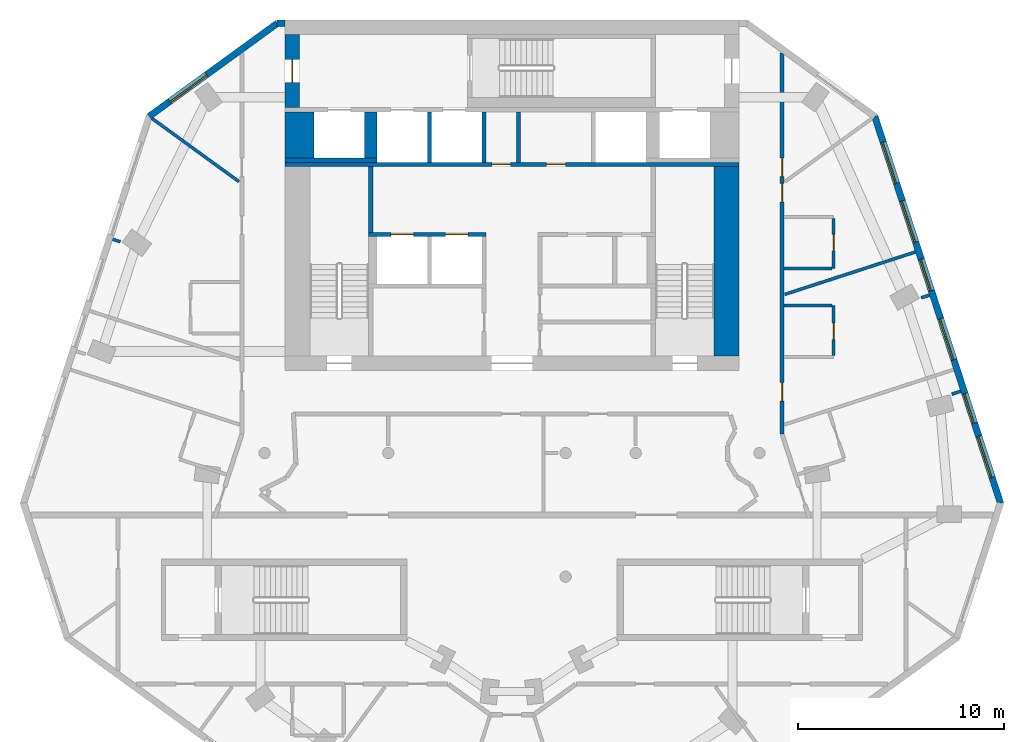
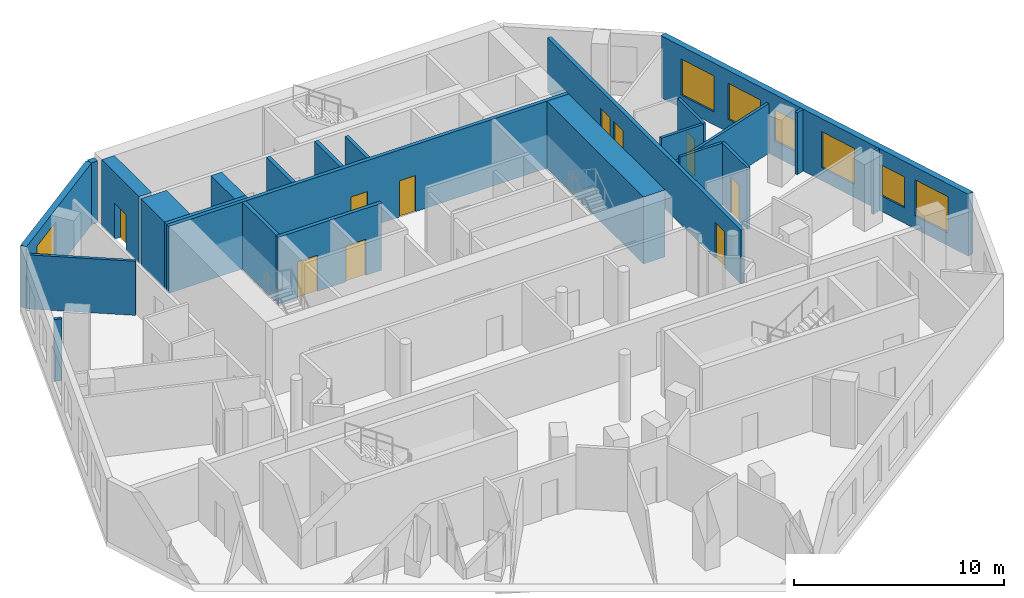
# One storey, part 5 of 9: 24 walls, 10 doors, 7 windows, 17 openings.
"""IFC4 building model written with IfcOpenShell, lengths in metres."""

from ifc_helpers import new_model, si_unit, direction, frame, frame_2d, origin, place, context, subcontext, project, spatial, rectangle, extrude, material, layer, layer_set, type_object, element, fill, save


model = new_model("IFC4")

# Units and contexts
model_context = context("Model", 3, precision=1e-05, world=origin(), true_north=direction((0.0, 1.0)))
body_context = subcontext(model_context, "Body", "Model", "MODEL_VIEW")
ifc_project = project(units=[si_unit("LENGTHUNIT", "METRE"), si_unit("AREAUNIT", "SQUARE_METRE"), si_unit("VOLUMEUNIT", "CUBIC_METRE"), si_unit("PLANEANGLEUNIT", "RADIAN"), si_unit("MASSUNIT", "GRAM", prefix="KILO")], contexts=[model_context])

# Site, building, storey
site_placement = place(None, origin())
site = spatial("IfcSite", under=ifc_project, at=site_placement, CompositionType="ELEMENT")
building_placement = place(site_placement, origin())
building = spatial("IfcBuilding", under=site, at=building_placement, Name="White Candle Pilgrim Tower", CompositionType="ELEMENT")
storey_placement = place(building_placement, frame((0.0, 0.0, 252.199951171875)))
storey = spatial("IfcBuildingStorey", under=building, at=storey_placement, Name="L59", CompositionType="ELEMENT", Elevation=252.199951171875)

# Walls
ifc_material_1 = material(Name="Concrete C50/60", Category="concrete")
ifc_layer_1 = layer(ifc_material_1, 1.39990234375)
ifc_layer_set_1 = layer_set([ifc_layer_1], Name="Core wall 1400 mm Concrete C50/60")
wall_type_1 = type_object("IfcWallType", Name="Core wall 1400 mm Concrete C50/60", PredefinedType="SHEAR", material=ifc_layer_set_1)
wall_1_placement = place(storey_placement, frame((59.699951171875, 81.300048828125, 0.0), z_axis=(0.0, 0.0, 1.0), x_axis=(0.0, 1.0, 0.0)))
element("IfcWall", 1, at=wall_1_placement, inside=storey, type_object=wall_type_1, Name="WL-L59-C40", PredefinedType="SHEAR", context=body_context, shape_type="SweptSolid", body=[
    extrude(rectangle(XDim=2.25, YDim=1.39990234375, at=frame_2d((1.125, 0.0))), origin(), (0.0, 0.0, 1.0), 3.900146484375),
])
ifc_layer_2 = layer(ifc_material_1, 0.199951171875)
ifc_layer_set_2 = layer_set([ifc_layer_2], Name="Core wall 200 mm Concrete C50/60")
wall_type_2 = type_object("IfcWallType", Name="Core wall 200 mm Concrete C50/60", PredefinedType="SHEAR", material=ifc_layer_set_2)
wall_2_placement = place(storey_placement, frame((59.0, 81.199951171875, 0.0), z_axis=(0.0, 0.0, 1.0), x_axis=(1.0, 0.0, 0.0)))
element("IfcWall", 2, at=wall_2_placement, inside=storey, type_object=wall_type_2, Name="WL-L59-C34", PredefinedType="SHEAR", context=body_context, shape_type="SweptSolid", body=[
    extrude(rectangle(XDim=4.449951171875, YDim=0.199951171875, at=frame_2d((2.22509765625, 0.0))), origin(), (0.0, 0.0, 1.0), 3.900146484375),
])

# Wall, opening, door
ifc_layer_3 = layer(ifc_material_1, 0.699951171875)
ifc_layer_set_3 = layer_set([ifc_layer_3], Name="Core wall 700 mm Concrete C50/60")
wall_type_3 = type_object("IfcWallType", Name="Core wall 700 mm Concrete C50/60", PredefinedType="SHEAR", material=ifc_layer_set_3)
wall_3_placement = place(storey_placement, frame((59.35009765625, 83.75, 0.0), z_axis=(0.0, 0.0, 1.0), x_axis=(0.0, 1.0, 0.0)))
wall_3 = element("IfcWall", 3, at=wall_3_placement, inside=storey, type_object=wall_type_3, Name="WL-L59-C45", PredefinedType="SHEAR", context=body_context, shape_type="SweptSolid", body=[
    extrude(rectangle(XDim=3.550048828125, YDim=0.699951171875, at=frame_2d((1.77490234375, 0.0))), origin(), (0.0, 0.0, 1.0), 3.900146484375),
])
opening_1_placement = place(wall_3_placement, frame((1.22509765625, 0.0, 0.0)))
opening_1 = element("IfcOpeningElement", 4, at=opening_1_placement, cuts=wall_3, Name="Opening T18-008", PredefinedType="OPENING", context=body_context, shape_type="SweptSolid", body=[
    extrude(rectangle(XDim=1.10009765625, YDim=2.10009765625, at=frame_2d((0.550048828125, 1.050048828125))), frame((0.0, 0.35986328125, 0.0), z_axis=(0.0, -1.0, 0.0), x_axis=(1.0, 0.0, 0.0)), (0.0, 0.0, 1.0), 0.719970703125),
])
ifc_material_2 = material(Name="Steel door leaf", Category="steel")
door_type_1 = type_object("IfcDoorType", Name="Fire door 1100 x 2100 EI 60", OperationType="NOTDEFINED", PredefinedType="DOOR", material=ifc_material_2)
door_1_placement = place(opening_1_placement, origin())
door_1 = element("IfcDoor", 5, at=door_1_placement, inside=storey, type_object=door_type_1, Name="Door T18-008", OperationType="SINGLE_SWING_RIGHT", OverallHeight=2.10009765625, OverallWidth=1.10009765625, PredefinedType="DOOR", context=body_context, shape_type="SweptSolid", body=[
    extrude(rectangle(XDim=1.10009765625, YDim=2.10009765625, at=frame_2d((0.550048828125, 1.050048828125))), frame((0.0, 0.02490234375, 0.0), z_axis=(0.0, -1.0, 0.0), x_axis=(1.0, 0.0, 0.0)), (0.0, 0.0, 1.0), 0.050048828125),
])
fill(opening_1, door_1)

# Wall, openings, doors
ifc_material_3 = material(Name="Gypsum board on steel studs", Category="steel")
ifc_layer_4 = layer(ifc_material_3, 0.199951171875)
ifc_layer_set_4 = layer_set([ifc_layer_4], Name="Corridor wall 200 mm EI 45")
wall_type_4 = type_object("IfcWallType", Name="Corridor wall 200 mm EI 45", PredefinedType="PARTITIONING", material=ifc_layer_set_4)
wall_4_placement = place(storey_placement, frame((83.10009765625, 86.396240234375, 0.0), z_axis=(0.0, 0.0, 1.0), x_axis=(0.0, -1.0, 0.0)))
wall_4 = element("IfcWall", 6, at=wall_4_placement, inside=storey, type_object=wall_type_4, Name="WL-L59-P004", PredefinedType="PARTITIONING", context=body_context, shape_type="SweptSolid", body=[
    extrude(rectangle(XDim=18.4677734375, YDim=0.199951171875, at=frame_2d((9.23388671875, 0.0))), origin(), (0.0, 0.0, 1.0), 3.150146484375),
])
opening_2_placement = place(wall_4_placement, frame((5.09033203125, 0.0, 0.0)))
opening_2 = element("IfcOpeningElement", 7, at=opening_2_placement, cuts=wall_4, Name="Opening T18-121", PredefinedType="OPENING", context=body_context, shape_type="SweptSolid", body=[
    extrude(rectangle(XDim=0.89990234375, YDim=2.10009765625, at=frame_2d((0.449951171875, 1.050048828125))), frame((0.0, 0.10986328125, 0.0), z_axis=(0.0, -1.0, 0.0), x_axis=(1.0, 0.0, 0.0)), (0.0, 0.0, 1.0), 0.219970703125),
])
opening_3_placement = place(wall_4_placement, frame((6.31396484375, 0.0, 0.0)))
opening_3 = element("IfcOpeningElement", 8, at=opening_3_placement, cuts=wall_4, Name="Opening T18-122", PredefinedType="OPENING", context=body_context, shape_type="SweptSolid", body=[
    extrude(rectangle(XDim=0.89990234375, YDim=2.10009765625, at=frame_2d((0.449951171875, 1.050048828125))), frame((0.0, 0.10986328125, 0.0), z_axis=(0.0, -1.0, 0.0), x_axis=(1.0, 0.0, 0.0)), (0.0, 0.0, 1.0), 0.219970703125),
])
opening_4_placement = place(wall_4_placement, frame((15.977783203125, 0.0, 0.0)))
opening_4 = element("IfcOpeningElement", 9, at=opening_4_placement, cuts=wall_4, Name="Opening T18-123", PredefinedType="OPENING", context=body_context, shape_type="SweptSolid", body=[
    extrude(rectangle(XDim=0.89990234375, YDim=2.10009765625, at=frame_2d((0.449951171875, 1.050048828125))), frame((0.0, 0.10986328125, 0.0), z_axis=(0.0, -1.0, 0.0), x_axis=(1.0, 0.0, 0.0)), (0.0, 0.0, 1.0), 0.219970703125),
])
door_type_2 = type_object("IfcDoorType", Name="Fire door 900 x 2100 EI 30", OperationType="NOTDEFINED", PredefinedType="DOOR", material=ifc_material_2)
door_2_placement = place(opening_2_placement, origin())
door_2 = element("IfcDoor", 10, at=door_2_placement, inside=storey, type_object=door_type_2, Name="Door T18-121", OperationType="SINGLE_SWING_LEFT", OverallHeight=2.10009765625, OverallWidth=0.89990234375, PredefinedType="DOOR", context=body_context, shape_type="SweptSolid", body=[
    extrude(rectangle(XDim=0.89990234375, YDim=2.10009765625, at=frame_2d((0.449951171875, 1.050048828125))), frame((0.0, 0.02490234375, 0.0), z_axis=(0.0, -1.0, 0.0), x_axis=(1.0, 0.0, 0.0)), (0.0, 0.0, 1.0), 0.050048828125),
])
fill(opening_2, door_2)
door_3_placement = place(opening_3_placement, origin())
door_3 = element("IfcDoor", 11, at=door_3_placement, inside=storey, type_object=door_type_2, Name="Door T18-122", OperationType="SINGLE_SWING_RIGHT", OverallHeight=2.10009765625, OverallWidth=0.89990234375, PredefinedType="DOOR", context=body_context, shape_type="SweptSolid", body=[
    extrude(rectangle(XDim=0.89990234375, YDim=2.10009765625, at=frame_2d((0.449951171875, 1.050048828125))), frame((0.0, 0.02490234375, 0.0), z_axis=(0.0, -1.0, 0.0), x_axis=(1.0, 0.0, 0.0)), (0.0, 0.0, 1.0), 0.050048828125),
])
fill(opening_3, door_3)
door_4_placement = place(opening_4_placement, origin())
door_4 = element("IfcDoor", 12, at=door_4_placement, inside=storey, type_object=door_type_2, Name="Door T18-123", OperationType="SINGLE_SWING_LEFT", OverallHeight=2.10009765625, OverallWidth=0.89990234375, PredefinedType="DOOR", context=body_context, shape_type="SweptSolid", body=[
    extrude(rectangle(XDim=0.89990234375, YDim=2.10009765625, at=frame_2d((0.449951171875, 1.050048828125))), frame((0.0, 0.02490234375, 0.0), z_axis=(0.0, -1.0, 0.0), x_axis=(1.0, 0.0, 0.0)), (0.0, 0.0, 1.0), 0.050048828125),
])
fill(opening_4, door_4)

# Wall, openings, windows
ifc_material_4 = material(Name="Precast concrete C40/50", Category="concrete")
ifc_layer_5 = layer(ifc_material_4, 0.320068359375)
ifc_layer_set_5 = layer_set([ifc_layer_5], Name="Facade wall EW1 precast concrete C40/50 pier wall with timber-lined reveals")
wall_type_5 = type_object("IfcWallType", Name="Facade wall EW1 precast concrete C40/50 pier wall with timber-lined reveals", PredefinedType="SOLIDWALL", material=ifc_layer_set_5)
wall_5_placement = place(storey_placement, frame((93.691650390625, 64.569091796875, 0.0), z_axis=(0.0, 0.0, 1.0), x_axis=(-0.309025614403, 0.951053715435, 0.0)))
wall_5 = element("IfcWall", 13, at=wall_5_placement, inside=storey, type_object=wall_type_5, Name="Facade wall L59 ENE", PredefinedType="SOLIDWALL", context=body_context, shape_type="SweptSolid", body=[
    extrude(rectangle(XDim=19.72314453125, YDim=0.320068359375, at=frame_2d((9.861572265625, 0.0))), origin(), (0.0, 0.0, 1.0), 3.60009765625),
])
opening_5_placement = place(wall_5_placement, frame((1.3115234375, 0.0, 0.75)))
opening_5 = element("IfcOpeningElement", 14, at=opening_5_placement, cuts=wall_5, Name="Opening W3", PredefinedType="OPENING", context=body_context, shape_type="SweptSolid", body=[
    extrude(rectangle(XDim=2.10009765625, YDim=2.10009765625, at=frame_2d((1.050048828125, 1.050048828125))), frame((0.0, 0.169921875, 0.0), z_axis=(0.0, -1.0, 0.0), x_axis=(1.0, 0.0, 0.0)), (0.0, 0.0, 1.0), 0.340087890625),
])
opening_6_placement = place(wall_5_placement, frame((4.08349609375, 0.0, 0.89990234375)))
opening_6 = element("IfcOpeningElement", 15, at=opening_6_placement, cuts=wall_5, Name="Opening W1", PredefinedType="OPENING", context=body_context, shape_type="SweptSolid", body=[
    extrude(rectangle(XDim=1.5, YDim=1.800048828125, at=frame_2d((0.75, 0.89990234375))), frame((0.0, 0.169921875, 0.0), z_axis=(0.0, -1.0, 0.0), x_axis=(1.0, 0.0, 0.0)), (0.0, 0.0, 1.0), 0.340087890625),
])
opening_7_placement = place(wall_5_placement, frame((7.3115234375, 0.0, 0.75)))
opening_7 = element("IfcOpeningElement", 16, at=opening_7_placement, cuts=wall_5, Name="Opening W3", PredefinedType="OPENING", context=body_context, shape_type="SweptSolid", body=[
    extrude(rectangle(XDim=2.10009765625, YDim=2.10009765625, at=frame_2d((1.050048828125, 1.050048828125))), frame((0.0, 0.169921875, 0.0), z_axis=(0.0, -1.0, 0.0), x_axis=(1.0, 0.0, 0.0)), (0.0, 0.0, 1.0), 0.340087890625),
])
opening_8_placement = place(wall_5_placement, frame((10.835693359375, 0.0, 0.89990234375)))
opening_8 = element("IfcOpeningElement", 17, at=opening_8_placement, cuts=wall_5, Name="Opening W2", PredefinedType="OPENING", context=body_context, shape_type="SweptSolid", body=[
    extrude(rectangle(XDim=1.60009765625, YDim=1.800048828125, at=frame_2d((0.800048828125, 0.89990234375))), frame((0.0, 0.169921875, 0.0), z_axis=(0.0, -1.0, 0.0), x_axis=(1.0, 0.0, 0.0)), (0.0, 0.0, 1.0), 0.340087890625),
])
opening_9_placement = place(wall_5_placement, frame((13.3115234375, 0.0, 0.75)))
opening_9 = element("IfcOpeningElement", 18, at=opening_9_placement, cuts=wall_5, Name="Opening W3", PredefinedType="OPENING", context=body_context, shape_type="SweptSolid", body=[
    extrude(rectangle(XDim=2.10009765625, YDim=2.10009765625, at=frame_2d((1.050048828125, 1.050048828125))), frame((0.0, 0.169921875, 0.0), z_axis=(0.0, -1.0, 0.0), x_axis=(1.0, 0.0, 0.0)), (0.0, 0.0, 1.0), 0.340087890625),
])
opening_10_placement = place(wall_5_placement, frame((16.3115234375, 0.0, 0.75)))
opening_10 = element("IfcOpeningElement", 19, at=opening_10_placement, cuts=wall_5, Name="Opening W3", PredefinedType="OPENING", context=body_context, shape_type="SweptSolid", body=[
    extrude(rectangle(XDim=2.10009765625, YDim=2.10009765625, at=frame_2d((1.050048828125, 1.050048828125))), frame((0.0, 0.169921875, 0.0), z_axis=(0.0, -1.0, 0.0), x_axis=(1.0, 0.0, 0.0)), (0.0, 0.0, 1.0), 0.340087890625),
])
ifc_material_5 = material(Name="Timber frame with triple glazing", Category="wood")
window_type_1 = type_object("IfcWindowType", Name="Window W1 1500x1800 timber frame triple glazing", PartitioningType="SINGLE_PANEL", PredefinedType="WINDOW", material=ifc_material_5)
window_1_placement = place(opening_6_placement, origin())
window_1 = element("IfcWindow", 20, at=window_1_placement, inside=storey, type_object=window_type_1, Name="Window W1 L59 ENE 2", OverallHeight=1.800048828125, OverallWidth=1.5, PartitioningType="SINGLE_PANEL", PredefinedType="WINDOW", context=body_context, shape_type="SweptSolid", body=[
    extrude(rectangle(XDim=1.5, YDim=1.800048828125, at=frame_2d((0.75, 0.89990234375))), frame((0.0, 0.070068359375, 0.0), z_axis=(0.0, -1.0, 0.0), x_axis=(1.0, 0.0, 0.0)), (0.0, 0.0, 1.0), 0.06005859375),
])
fill(opening_6, window_1)
window_type_2 = type_object("IfcWindowType", Name="Window W2 1600x1800 timber frame triple glazing", PartitioningType="SINGLE_PANEL", PredefinedType="WINDOW", material=ifc_material_5)
window_2_placement = place(opening_8_placement, origin())
window_2 = element("IfcWindow", 21, at=window_2_placement, inside=storey, type_object=window_type_2, Name="Window W2 L59 ENE 4", OverallHeight=1.800048828125, OverallWidth=1.60009765625, PartitioningType="SINGLE_PANEL", PredefinedType="WINDOW", context=body_context, shape_type="SweptSolid", body=[
    extrude(rectangle(XDim=1.60009765625, YDim=1.800048828125, at=frame_2d((0.800048828125, 0.89990234375))), frame((0.0, 0.070068359375, 0.0), z_axis=(0.0, -1.0, 0.0), x_axis=(1.0, 0.0, 0.0)), (0.0, 0.0, 1.0), 0.06005859375),
])
fill(opening_8, window_2)
window_type_3 = type_object("IfcWindowType", Name="Window W3 2100x2100 timber frame triple glazing", PartitioningType="SINGLE_PANEL", PredefinedType="WINDOW", material=ifc_material_5)
window_3_placement = place(opening_5_placement, origin())
window_3 = element("IfcWindow", 22, at=window_3_placement, inside=storey, type_object=window_type_3, Name="Window W3 L59 ENE 1", OverallHeight=2.10009765625, OverallWidth=2.10009765625, PartitioningType="SINGLE_PANEL", PredefinedType="WINDOW", context=body_context, shape_type="SweptSolid", body=[
    extrude(rectangle(XDim=2.10009765625, YDim=2.10009765625, at=frame_2d((1.050048828125, 1.050048828125))), frame((0.0, 0.070068359375, 0.0), z_axis=(0.0, -1.0, 0.0), x_axis=(1.0, 0.0, 0.0)), (0.0, 0.0, 1.0), 0.06005859375),
])
fill(opening_5, window_3)
window_4_placement = place(opening_7_placement, origin())
window_4 = element("IfcWindow", 23, at=window_4_placement, inside=storey, type_object=window_type_3, Name="Window W3 L59 ENE 3", OverallHeight=2.10009765625, OverallWidth=2.10009765625, PartitioningType="SINGLE_PANEL", PredefinedType="WINDOW", context=body_context, shape_type="SweptSolid", body=[
    extrude(rectangle(XDim=2.10009765625, YDim=2.10009765625, at=frame_2d((1.050048828125, 1.050048828125))), frame((0.0, 0.070068359375, 0.0), z_axis=(0.0, -1.0, 0.0), x_axis=(1.0, 0.0, 0.0)), (0.0, 0.0, 1.0), 0.06005859375),
])
fill(opening_7, window_4)
window_5_placement = place(opening_9_placement, origin())
window_5 = element("IfcWindow", 24, at=window_5_placement, inside=storey, type_object=window_type_3, Name="Window W3 L59 ENE 5", OverallHeight=2.10009765625, OverallWidth=2.10009765625, PartitioningType="SINGLE_PANEL", PredefinedType="WINDOW", context=body_context, shape_type="SweptSolid", body=[
    extrude(rectangle(XDim=2.10009765625, YDim=2.10009765625, at=frame_2d((1.050048828125, 1.050048828125))), frame((0.0, 0.070068359375, 0.0), z_axis=(0.0, -1.0, 0.0), x_axis=(1.0, 0.0, 0.0)), (0.0, 0.0, 1.0), 0.06005859375),
])
fill(opening_9, window_5)
window_6_placement = place(opening_10_placement, origin())
window_6 = element("IfcWindow", 25, at=window_6_placement, inside=storey, type_object=window_type_3, Name="Window W3 L59 ENE 6", OverallHeight=2.10009765625, OverallWidth=2.10009765625, PartitioningType="SINGLE_PANEL", PredefinedType="WINDOW", context=body_context, shape_type="SweptSolid", body=[
    extrude(rectangle(XDim=2.10009765625, YDim=2.10009765625, at=frame_2d((1.050048828125, 1.050048828125))), frame((0.0, 0.070068359375, 0.0), z_axis=(0.0, -1.0, 0.0), x_axis=(1.0, 0.0, 0.0)), (0.0, 0.0, 1.0), 0.06005859375),
])
fill(opening_10, window_6)

# Wall
wall_6_placement = place(storey_placement, frame((59.0, 87.840087890625, 0.0), z_axis=(0.0, 0.0, 1.0), x_axis=(-1.0, 0.0, 0.0)))
element("IfcWall", 26, at=wall_6_placement, inside=storey, type_object=wall_type_5, Name="Facade wall L59 N", PredefinedType="SOLIDWALL", context=body_context, shape_type="SweptSolid", body=[
    extrude(rectangle(XDim=0.385009765625, YDim=0.320068359375, at=frame_2d((0.1923828125, 0.0))), origin(), (0.0, 0.0, 1.0), 3.60009765625),
])

# Wall, opening, window
wall_7_placement = place(storey_placement, frame((58.614990234375, 87.840087890625, 0.0), z_axis=(0.0, 0.0, 1.0), x_axis=(-0.809008247786, -0.587797290751, 0.0)))
wall_7 = element("IfcWall", 27, at=wall_7_placement, inside=storey, type_object=wall_type_5, Name="Facade wall L59 NW chamfer", PredefinedType="SOLIDWALL", context=body_context, shape_type="SweptSolid", body=[
    extrude(rectangle(XDim=7.67822265625, YDim=0.320068359375, at=frame_2d((3.839111328125, 0.0))), origin(), (0.0, 0.0, 1.0), 3.60009765625),
])
opening_11_placement = place(wall_7_placement, frame((4.239013671875, 0.0, 0.75)))
opening_11 = element("IfcOpeningElement", 28, at=opening_11_placement, cuts=wall_7, Name="Opening W4", PredefinedType="OPENING", context=body_context, shape_type="SweptSolid", body=[
    extrude(rectangle(XDim=2.199951171875, YDim=2.10009765625, at=frame_2d((1.10009765625, 1.050048828125))), frame((0.0, 0.169921875, 0.0), z_axis=(0.0, -1.0, 0.0), x_axis=(1.0, 0.0, 0.0)), (0.0, 0.0, 1.0), 0.340087890625),
])
window_type_4 = type_object("IfcWindowType", Name="Window W4 2200x2100 timber frame triple glazing", PartitioningType="SINGLE_PANEL", PredefinedType="WINDOW", material=ifc_material_5)
window_7_placement = place(opening_11_placement, origin())
window_7 = element("IfcWindow", 29, at=window_7_placement, inside=storey, type_object=window_type_4, Name="Window W4 L59 NW chamfer 2", OverallHeight=2.10009765625, OverallWidth=2.199951171875, PartitioningType="SINGLE_PANEL", PredefinedType="WINDOW", context=body_context, shape_type="SweptSolid", body=[
    extrude(rectangle(XDim=2.199951171875, YDim=2.10009765625, at=frame_2d((1.10009765625, 1.050048828125))), frame((0.0, 0.070068359375, 0.0), z_axis=(0.0, -1.0, 0.0), x_axis=(1.0, 0.0, 0.0)), (0.0, 0.0, 1.0), 0.06005859375),
])
fill(opening_11, window_7)

# Walls
ifc_layer_6 = layer(ifc_material_3, 0.199951171875)
ifc_layer_set_6 = layer_set([ifc_layer_6], Name="Lobby wall 200 mm EI 60")
wall_type_6 = type_object("IfcWallType", Name="Lobby wall 200 mm EI 60", PredefinedType="PARTITIONING", material=ifc_layer_set_6)
wall_8_placement = place(storey_placement, frame((70.320068359375, 81.10009765625, 0.0), z_axis=(0.0, 0.0, 1.0), x_axis=(0.0, 1.0, 0.0)))
element("IfcWall", 30, at=wall_8_placement, inside=storey, type_object=wall_type_6, Name="WL-L59-C37", PredefinedType="PARTITIONING", context=body_context, shape_type="SweptSolid", body=[
    extrude(rectangle(XDim=2.449951171875, YDim=0.199951171875, at=frame_2d((1.22509765625, 0.0))), origin(), (0.0, 0.0, 1.0), 3.60009765625),
])
ifc_layer_7 = layer(ifc_material_3, 0.14990234375)
ifc_layer_set_7 = layer_set([ifc_layer_7], Name="Partition 150 mm EI 60")
wall_type_7 = type_object("IfcWallType", Name="Partition 150 mm EI 60", PredefinedType="PARTITIONING", material=ifc_layer_set_7)
wall_9_placement = place(storey_placement, frame((52.539306640625, 83.22802734375, 0.0), z_axis=(0.0, 0.0, 1.0), x_axis=(0.809019578294, -0.587781695816, 0.0)))
element("IfcWall", 31, at=wall_9_placement, inside=storey, type_object=wall_type_7, Name="WL-L59-P025", PredefinedType="PARTITIONING", context=body_context, shape_type="SweptSolid", body=[
    extrude(rectangle(XDim=5.2119140625, YDim=0.14990234375, at=frame_2d((2.60595703125, 0.0))), origin(), (0.0, 0.0, 1.0), 3.150146484375),
])
wall_10_placement = place(storey_placement, frame((89.56494140625, 76.751708984375, 0.0), z_axis=(0.0, 0.0, 1.0), x_axis=(-0.951057743275, -0.309013218095, 0.0)))
element("IfcWall", 32, at=wall_10_placement, inside=storey, type_object=wall_type_7, Name="WL-L59-P045", PredefinedType="PARTITIONING", context=body_context, shape_type="SweptSolid", body=[
    extrude(rectangle(XDim=6.668212890625, YDim=0.14990234375, at=frame_2d((3.333984375, 0.0))), origin(), (0.0, 0.0, 1.0), 2.900146484375),
])

# Wall, opening, door
wall_11_placement = place(storey_placement, frame((85.60009765625, 74.151123046875, 0.0), z_axis=(0.0, 0.0, 1.0), x_axis=(0.0, -1.0, 0.0)))
wall_11 = element("IfcWall", 33, at=wall_11_placement, inside=storey, type_object=wall_type_7, Name="WL-L59-P049", PredefinedType="PARTITIONING", context=body_context, shape_type="SweptSolid", body=[
    extrude(rectangle(XDim=2.4248046875, YDim=0.14990234375, at=frame_2d((1.21240234375, 0.0))), origin(), (0.0, 0.0, 1.0), 3.60009765625),
])
opening_12_placement = place(wall_11_placement, frame((0.85009765625, 0.0, 0.0)))
opening_12 = element("IfcOpeningElement", 34, at=opening_12_placement, cuts=wall_11, Name="Opening T18-113", PredefinedType="OPENING", context=body_context, shape_type="SweptSolid", body=[
    extrude(rectangle(XDim=0.800048828125, YDim=2.10009765625, at=frame_2d((0.39990234375, 1.050048828125))), frame((0.0, 0.0849609375, 0.0), z_axis=(0.0, -1.0, 0.0), x_axis=(1.0, 0.0, 0.0)), (0.0, 0.0, 1.0), 0.169921875),
])
door_type_3 = type_object("IfcDoorType", Name="Fire door 800 x 2100 EI 30", OperationType="NOTDEFINED", PredefinedType="DOOR", material=ifc_material_2)
door_5_placement = place(opening_12_placement, origin())
door_5 = element("IfcDoor", 35, at=door_5_placement, inside=storey, type_object=door_type_3, Name="Door T18-113", OperationType="SINGLE_SWING_LEFT", OverallHeight=2.10009765625, OverallWidth=0.800048828125, PredefinedType="DOOR", context=body_context, shape_type="SweptSolid", body=[
    extrude(rectangle(XDim=0.800048828125, YDim=2.10009765625, at=frame_2d((0.39990234375, 1.050048828125))), frame((0.0, 0.02490234375, 0.0), z_axis=(0.0, -1.0, 0.0), x_axis=(1.0, 0.0, 0.0)), (0.0, 0.0, 1.0), 0.050048828125),
])
fill(opening_12, door_5)

# Wall
wall_12_placement = place(storey_placement, frame((83.199951171875, 74.151123046875, 0.0), z_axis=(0.0, 0.0, 1.0), x_axis=(1.0, 0.0, 0.0)))
element("IfcWall", 36, at=wall_12_placement, inside=storey, type_object=wall_type_7, Name="WL-L59-P050", PredefinedType="PARTITIONING", context=body_context, shape_type="SweptSolid", body=[
    extrude(rectangle(XDim=2.324951171875, YDim=0.14990234375, at=frame_2d((1.16259765625, 0.0))), origin(), (0.0, 0.0, 1.0), 3.60009765625),
])

# Wall, opening, door
wall_13_placement = place(storey_placement, frame((85.60009765625, 75.951171875, 0.0), z_axis=(0.0, 0.0, 1.0), x_axis=(0.0, 1.0, 0.0)))
wall_13 = element("IfcWall", 37, at=wall_13_placement, inside=storey, type_object=wall_type_7, Name="WL-L59-P052", PredefinedType="PARTITIONING", context=body_context, shape_type="SweptSolid", body=[
    extrude(rectangle(XDim=2.425048828125, YDim=0.14990234375, at=frame_2d((1.21240234375, 0.0))), origin(), (0.0, 0.0, 1.0), 3.60009765625),
])
opening_13_placement = place(wall_13_placement, frame((0.85009765625, 0.0, 0.0)))
opening_13 = element("IfcOpeningElement", 38, at=opening_13_placement, cuts=wall_13, Name="Opening T18-114", PredefinedType="OPENING", context=body_context, shape_type="SweptSolid", body=[
    extrude(rectangle(XDim=0.800048828125, YDim=2.10009765625, at=frame_2d((0.39990234375, 1.050048828125))), frame((0.0, 0.0849609375, 0.0), z_axis=(0.0, -1.0, 0.0), x_axis=(1.0, 0.0, 0.0)), (0.0, 0.0, 1.0), 0.169921875),
])
door_6_placement = place(opening_13_placement, frame((0.800048828125, 0.0, 0.0), z_axis=(0.0, 0.0, 1.0), x_axis=(-1.0, 0.0, 0.0)))
door_6 = element("IfcDoor", 39, at=door_6_placement, inside=storey, type_object=door_type_3, Name="Door T18-114", OperationType="SINGLE_SWING_LEFT", OverallHeight=2.10009765625, OverallWidth=0.800048828125, PredefinedType="DOOR", context=body_context, shape_type="SweptSolid", body=[
    extrude(rectangle(XDim=0.800048828125, YDim=2.10009765625, at=frame_2d((0.39990234375, 1.050048828125))), frame((0.0, 0.02490234375, 0.0), z_axis=(0.0, -1.0, 0.0), x_axis=(1.0, 0.0, 0.0)), (0.0, 0.0, 1.0), 0.050048828125),
])
fill(opening_13, door_6)

# Walls
wall_14_placement = place(storey_placement, frame((83.199951171875, 75.951171875, 0.0), z_axis=(0.0, 0.0, 1.0), x_axis=(1.0, 0.0, 0.0)))
element("IfcWall", 40, at=wall_14_placement, inside=storey, type_object=wall_type_7, Name="WL-L59-P053", PredefinedType="PARTITIONING", context=body_context, shape_type="SweptSolid", body=[
    extrude(rectangle(XDim=2.324951171875, YDim=0.14990234375, at=frame_2d((1.16259765625, 0.0))), origin(), (0.0, 0.0, 1.0), 3.60009765625),
])
wall_15_placement = place(storey_placement, frame((91.327392578125, 69.855712890625, 0.0), z_axis=(0.0, 0.0, 1.0), x_axis=(0.951018291355, 0.309134613894, 0.0)))
element("IfcWall", 41, at=wall_15_placement, inside=storey, type_object=wall_type_7, Name="WL-L59-P057", PredefinedType="PARTITIONING", context=body_context, shape_type="SweptSolid", body=[
    extrude(rectangle(XDim=0.454833984375, YDim=0.14990234375, at=frame_2d((0.2275390625, 0.0))), origin(), (0.0, 0.0, 1.0), 3.60009765625),
])
wall_16_placement = place(storey_placement, frame((89.844482421875, 74.528564453125, 0.0), z_axis=(0.0, 0.0, 1.0), x_axis=(0.951089423104, 0.308915699277, 0.0)))
element("IfcWall", 42, at=wall_16_placement, inside=storey, type_object=wall_type_7, Name="WL-L59-P058", PredefinedType="PARTITIONING", context=body_context, shape_type="SweptSolid", body=[
    extrude(rectangle(XDim=0.421142578125, YDim=0.14990234375, at=frame_2d((0.21044921875, 0.0))), origin(), (0.0, 0.0, 1.0), 3.60009765625),
])
wall_17_placement = place(storey_placement, frame((51.00439453125, 77.24755859375, 0.0), z_axis=(0.0, 0.0, 1.0), x_axis=(-0.951167956865, 0.308673804904, 0.0)))
element("IfcWall", 43, at=wall_17_placement, inside=storey, type_object=wall_type_7, Name="WL-L59-P059", PredefinedType="PARTITIONING", context=body_context, shape_type="SweptSolid", body=[
    extrude(rectangle(XDim=0.388427734375, YDim=0.14990234375, at=frame_2d((0.1943359375, 0.0))), origin(), (0.0, 0.0, 1.0), 3.60009765625),
])
ifc_layer_8 = layer(ifc_material_1, 0.199951171875)
ifc_layer_set_8 = layer_set([ifc_layer_8], Name="Shaft wall 200 mm Concrete C50/60")
wall_type_8 = type_object("IfcWallType", Name="Shaft wall 200 mm Concrete C50/60", PredefinedType="SHEAR", material=ifc_layer_set_8)
for number, where, z_axis, x_axis, name in (
    (44, (66.0, 81.10009765625, 0.0), (0.0, 0.0, 1.0), (0.0, 1.0, 0.0), "WL-L59-C35"),
    (45, (68.64990234375, 81.10009765625, 0.0), (0.0, 0.0, 1.0), (0.0, 1.0, 0.0), "WL-L59-C36"),
):
    element("IfcWall", number, at=place(storey_placement, frame(where, z_axis=z_axis, x_axis=x_axis)), inside=storey, type_object=wall_type_8, Name=name, PredefinedType="SHEAR", context=body_context, shape_type="SweptSolid", body=[
        extrude(rectangle(XDim=2.449951171875, YDim=0.199951171875, at=frame_2d((1.22509765625, 0.0))), origin(), (0.0, 0.0, 1.0), 3.900146484375),
    ])
ifc_layer_9 = layer(ifc_material_1, 0.60009765625)
ifc_layer_set_9 = layer_set([ifc_layer_9], Name="Shaft wall 600 mm Concrete C50/60")
wall_type_9 = type_object("IfcWallType", Name="Shaft wall 600 mm Concrete C50/60", PredefinedType="SHEAR", material=ifc_layer_set_9)
wall_18_placement = place(storey_placement, frame((63.14990234375, 81.300048828125, 0.0), z_axis=(0.0, 0.0, 1.0), x_axis=(0.0, 1.0, 0.0)))
element("IfcWall", 46, at=wall_18_placement, inside=storey, type_object=wall_type_9, Name="WL-L59-C41", PredefinedType="SHEAR", context=body_context, shape_type="SweptSolid", body=[
    extrude(rectangle(XDim=2.25, YDim=0.60009765625, at=frame_2d((1.125, 0.0))), origin(), (0.0, 0.0, 1.0), 3.900146484375),
])
ifc_layer_10 = layer(ifc_material_1, 1.199951171875)
ifc_layer_set_10 = layer_set([ifc_layer_10], Name="Stair shaft wall 1200 mm Concrete C50/60")
wall_type_10 = type_object("IfcWallType", Name="Stair shaft wall 1200 mm Concrete C50/60", PredefinedType="SHEAR", material=ifc_layer_set_10)
wall_19_placement = place(storey_placement, frame((80.39990234375, 71.699951171875, 0.0), z_axis=(0.0, 0.0, 1.0), x_axis=(0.0, 1.0, 0.0)))
element("IfcWall", 47, at=wall_19_placement, inside=storey, type_object=wall_type_10, Name="WL-L59-C17", PredefinedType="SHEAR", context=body_context, shape_type="SweptSolid", body=[
    extrude(rectangle(XDim=9.199951171875, YDim=1.199951171875, at=frame_2d((4.60009765625, 0.0))), origin(), (0.0, 0.0, 1.0), 3.900146484375),
])

# Wall, openings, doors
ifc_layer_11 = layer(ifc_material_1, 0.199951171875)
ifc_layer_set_11 = layer_set([ifc_layer_11], Name="Stair shaft wall 200 mm Concrete C50/60")
wall_type_11 = type_object("IfcWallType", Name="Stair shaft wall 200 mm Concrete C50/60", PredefinedType="SHEAR", material=ifc_layer_set_11)
wall_20_placement = place(storey_placement, frame((63.050048828125, 77.60009765625, 0.0), z_axis=(0.0, 0.0, 1.0), x_axis=(1.0, 0.0, 0.0)))
wall_20 = element("IfcWall", 48, at=wall_20_placement, inside=storey, type_object=wall_type_11, Name="WL-L59-C29", PredefinedType="SHEAR", context=body_context, shape_type="SweptSolid", body=[
    extrude(rectangle(XDim=5.699951171875, YDim=0.199951171875, at=frame_2d((2.85009765625, 0.0))), origin(), (0.0, 0.0, 1.0), 3.900146484375),
])
opening_14_placement = place(wall_20_placement, frame((1.074951171875, 0.0, 0.0)))
opening_14 = element("IfcOpeningElement", 49, at=opening_14_placement, cuts=wall_20, Name="Opening T18-014", PredefinedType="OPENING", context=body_context, shape_type="SweptSolid", body=[
    extrude(rectangle(XDim=1.10009765625, YDim=2.10009765625, at=frame_2d((0.550048828125, 1.050048828125))), frame((0.0, 0.10986328125, 0.0), z_axis=(0.0, -1.0, 0.0), x_axis=(1.0, 0.0, 0.0)), (0.0, 0.0, 1.0), 0.219970703125),
])
opening_15_placement = place(wall_20_placement, frame((3.72509765625, 0.0, 0.0)))
opening_15 = element("IfcOpeningElement", 50, at=opening_15_placement, cuts=wall_20, Name="Opening T18-015", PredefinedType="OPENING", context=body_context, shape_type="SweptSolid", body=[
    extrude(rectangle(XDim=1.10009765625, YDim=2.10009765625, at=frame_2d((0.550048828125, 1.050048828125))), frame((0.0, 0.10986328125, 0.0), z_axis=(0.0, -1.0, 0.0), x_axis=(1.0, 0.0, 0.0)), (0.0, 0.0, 1.0), 0.219970703125),
])
ifc_material_6 = material(Name="Stainless steel", Category="steel")
door_type_4 = type_object("IfcDoorType", Name="Lift landing door 1100 x 2100 E 60", OperationType="DOUBLE_DOOR_SLIDING", PredefinedType="DOOR", material=ifc_material_6)
door_7_placement = place(opening_14_placement, origin())
door_7 = element("IfcDoor", 51, at=door_7_placement, inside=storey, type_object=door_type_4, Name="Door T18-014", OperationType="DOUBLE_DOOR_SLIDING", OverallHeight=2.10009765625, OverallWidth=1.10009765625, PredefinedType="DOOR", context=body_context, shape_type="SweptSolid", body=[
    extrude(rectangle(XDim=1.10009765625, YDim=2.10009765625, at=frame_2d((0.550048828125, 1.050048828125))), frame((0.0, 0.02490234375, 0.0), z_axis=(0.0, -1.0, 0.0), x_axis=(1.0, 0.0, 0.0)), (0.0, 0.0, 1.0), 0.050048828125),
])
fill(opening_14, door_7)
door_8_placement = place(opening_15_placement, origin())
door_8 = element("IfcDoor", 52, at=door_8_placement, inside=storey, type_object=door_type_4, Name="Door T18-015", OperationType="DOUBLE_DOOR_SLIDING", OverallHeight=2.10009765625, OverallWidth=1.10009765625, PredefinedType="DOOR", context=body_context, shape_type="SweptSolid", body=[
    extrude(rectangle(XDim=1.10009765625, YDim=2.10009765625, at=frame_2d((0.550048828125, 1.050048828125))), frame((0.0, 0.02490234375, 0.0), z_axis=(0.0, -1.0, 0.0), x_axis=(1.0, 0.0, 0.0)), (0.0, 0.0, 1.0), 0.050048828125),
])
fill(opening_15, door_8)

# Wall
wall_21_placement = place(storey_placement, frame((63.14990234375, 77.699951171875, 0.0), z_axis=(0.0, 0.0, 1.0), x_axis=(0.0, 1.0, 0.0)))
element("IfcWall", 53, at=wall_21_placement, inside=storey, type_object=wall_type_11, Name="WL-L59-C31", PredefinedType="SHEAR", context=body_context, shape_type="SweptSolid", body=[
    extrude(rectangle(XDim=3.199951171875, YDim=0.199951171875, at=frame_2d((1.60009765625, 0.0))), origin(), (0.0, 0.0, 1.0), 3.900146484375),
])

# Wall, openings, doors
wall_22_placement = place(storey_placement, frame((59.0, 81.0, 0.0), z_axis=(0.0, 0.0, 1.0), x_axis=(1.0, 0.0, 0.0)))
wall_22 = element("IfcWall", 54, at=wall_22_placement, inside=storey, type_object=wall_type_11, Name="WL-L59-C33", PredefinedType="SHEAR", context=body_context, shape_type="SweptSolid", body=[
    extrude(rectangle(XDim=22.0, YDim=0.199951171875, at=frame_2d((11.0, 0.0))), origin(), (0.0, 0.0, 1.0), 3.900146484375),
])
opening_16_placement = place(wall_22_placement, frame((10.034912109375, 0.0, 0.0)))
opening_16 = element("IfcOpeningElement", 55, at=opening_16_placement, cuts=wall_22, Name="Opening T18-022", PredefinedType="OPENING", context=body_context, shape_type="SweptSolid", body=[
    extrude(rectangle(XDim=0.89990234375, YDim=2.10009765625, at=frame_2d((0.449951171875, 1.050048828125))), frame((0.0, 0.10986328125, 0.0), z_axis=(0.0, -1.0, 0.0), x_axis=(1.0, 0.0, 0.0)), (0.0, 0.0, 1.0), 0.219970703125),
])
opening_17_placement = place(wall_22_placement, frame((12.68505859375, 0.0, 0.0)))
opening_17 = element("IfcOpeningElement", 56, at=opening_17_placement, cuts=wall_22, Name="Opening T18-023", PredefinedType="OPENING", context=body_context, shape_type="SweptSolid", body=[
    extrude(rectangle(XDim=0.89990234375, YDim=2.10009765625, at=frame_2d((0.449951171875, 1.050048828125))), frame((0.0, 0.10986328125, 0.0), z_axis=(0.0, -1.0, 0.0), x_axis=(1.0, 0.0, 0.0)), (0.0, 0.0, 1.0), 0.219970703125),
])
door_9_placement = place(opening_16_placement, origin())
door_9 = element("IfcDoor", 57, at=door_9_placement, inside=storey, type_object=door_type_2, Name="Door T18-022", OperationType="SINGLE_SWING_RIGHT", OverallHeight=2.10009765625, OverallWidth=0.89990234375, PredefinedType="DOOR", context=body_context, shape_type="SweptSolid", body=[
    extrude(rectangle(XDim=0.89990234375, YDim=2.10009765625, at=frame_2d((0.449951171875, 1.050048828125))), frame((0.0, 0.02490234375, 0.0), z_axis=(0.0, -1.0, 0.0), x_axis=(1.0, 0.0, 0.0)), (0.0, 0.0, 1.0), 0.050048828125),
])
fill(opening_16, door_9)
door_10_placement = place(opening_17_placement, origin())
door_10 = element("IfcDoor", 58, at=door_10_placement, inside=storey, type_object=door_type_2, Name="Door T18-023", OperationType="SINGLE_SWING_LEFT", OverallHeight=2.10009765625, OverallWidth=0.89990234375, PredefinedType="DOOR", context=body_context, shape_type="SweptSolid", body=[
    extrude(rectangle(XDim=0.89990234375, YDim=2.10009765625, at=frame_2d((0.449951171875, 1.050048828125))), frame((0.0, 0.02490234375, 0.0), z_axis=(0.0, -1.0, 0.0), x_axis=(1.0, 0.0, 0.0)), (0.0, 0.0, 1.0), 0.050048828125),
])
fill(opening_17, door_10)

save(model, "model.ifc")
